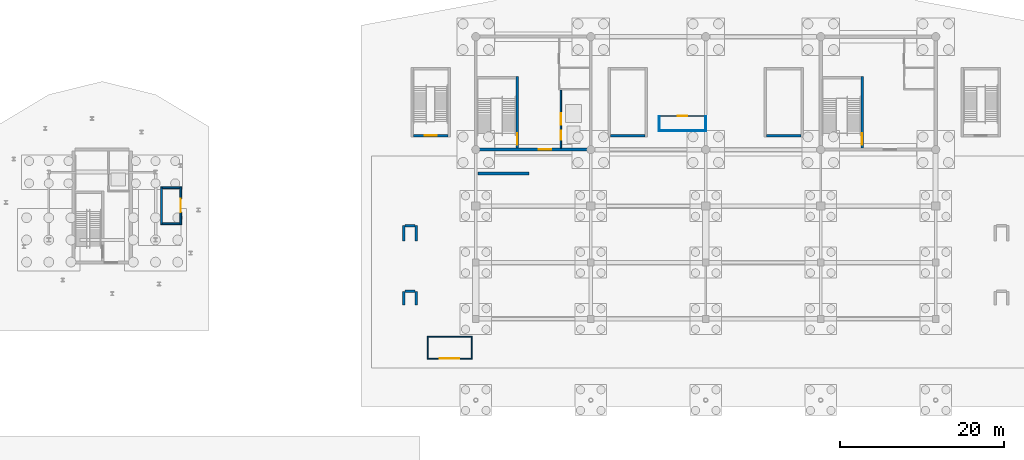
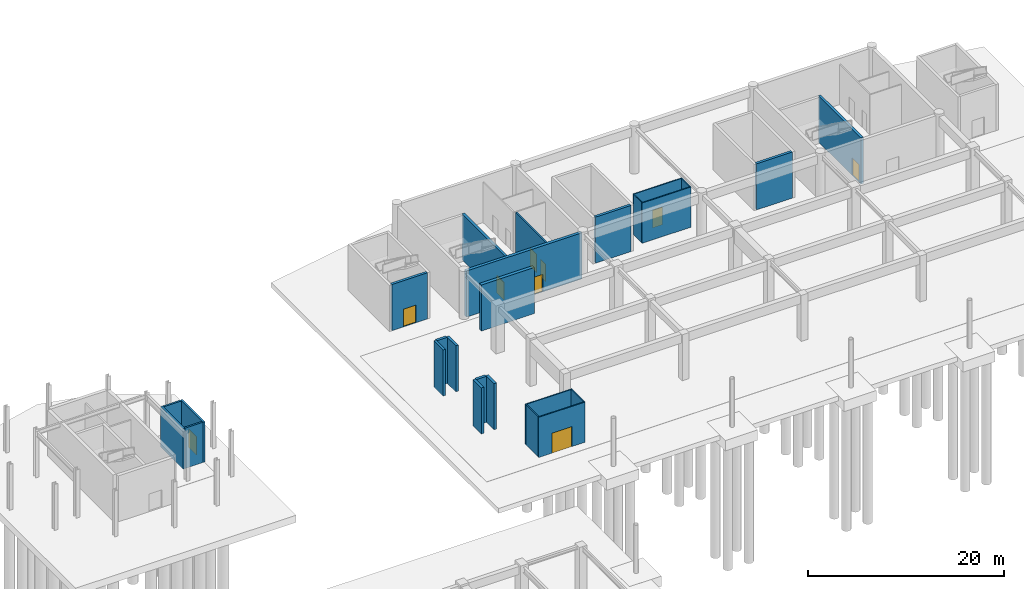
# One storey, part 48 of 62: 26 walls, 9 doors, 9 openings.
"""IFC4 building model written with IfcOpenShell, lengths in metres."""

from ifc_helpers import new_model, si_unit, direction, frame, frame_2d, origin, place, context, subcontext, project, spatial, rectangle, extrude, material, layer, layer_set, type_object, element, fill, save


model = new_model("IFC4")

# Units and contexts
model_context = context("Model", 3, precision=1e-05, world=origin(), true_north=direction((0.0, 1.0)))
body_context = subcontext(model_context, "Body", "Model", "MODEL_VIEW")
ifc_project = project(units=[si_unit("LENGTHUNIT", "METRE"), si_unit("AREAUNIT", "SQUARE_METRE"), si_unit("VOLUMEUNIT", "CUBIC_METRE"), si_unit("PLANEANGLEUNIT", "RADIAN"), si_unit("MASSUNIT", "GRAM", prefix="KILO")], contexts=[model_context])

# Site, building, storey
site_placement = place(None, origin())
site = spatial("IfcSite", under=ifc_project, at=site_placement, CompositionType="ELEMENT")
building_placement = place(site_placement, origin())
building = spatial("IfcBuilding", under=site, at=building_placement, Name="Linyun Crest Stadium", CompositionType="ELEMENT")
storey_placement = place(building_placement, frame((0.0, 0.0, -6.0)))
storey = spatial("IfcBuildingStorey", under=building, at=storey_placement, Name="B1", CompositionType="ELEMENT", Elevation=-6.0)

# Wall, opening, door
ifc_material_1 = material(Name="Concrete C50", Category="concrete")
ifc_layer_1 = layer(ifc_material_1, 0.35009765625)
ifc_layer_set_1 = layer_set([ifc_layer_1], Name="Concrete C50")
wall_type_1 = type_object("IfcWallType", Name="CW01", PredefinedType="SHEAR", material=ifc_layer_set_1)
wall_1_placement = place(storey_placement, frame((-27.824951171875, 91.5, 0.0), z_axis=(0.0, 0.0, 1.0), x_axis=(1.0, 0.0, 0.0)))
wall_1 = element("IfcWall", 1, at=wall_1_placement, inside=storey, type_object=wall_type_1, Name="Core shear wall CW01 CORE-N1 B1.3", PredefinedType="SHEAR", context=body_context, shape_type="SweptSolid", body=[
    extrude(rectangle(XDim=13.64990234375, YDim=0.35009765625, at=frame_2d((6.824951171875, 0.0))), origin(), (0.0, 0.0, 1.0), 5.75),
])
opening_1_placement = place(wall_1_placement, frame((7.507080078125, 0.0, 0.0)))
opening_1 = element("IfcOpeningElement", 2, at=opening_1_placement, cuts=wall_1, Name="Opening D-B1-256", PredefinedType="OPENING", context=body_context, shape_type="SweptSolid", body=[
    extrude(rectangle(XDim=1.5, YDim=2.199951171875, at=frame_2d((0.75, 1.10009765625))), frame((0.0, 0.18505859375, 0.0), z_axis=(0.0, -1.0, 0.0), x_axis=(1.0, 0.0, 0.0)), (0.0, 0.0, 1.0), 0.3701171875),
])
ifc_material_2 = material(Name="Galvanized steel Class A fire door", Category="steel")
ifc_layer_2 = layer(ifc_material_2, 0.054931640625)
ifc_layer_set_2 = layer_set([ifc_layer_2], Name="Galvanized steel Class A fire door")
door_type_1 = type_object("IfcDoorType", Name="FD01", OperationType="NOTDEFINED", PredefinedType="DOOR", material=ifc_layer_set_2)
door_1_placement = place(opening_1_placement, origin())
door_1 = element("IfcDoor", 3, at=door_1_placement, inside=storey, type_object=door_type_1, Name="Door D-B1-256", OperationType="SINGLE_SWING_RIGHT", OverallHeight=2.199951171875, OverallWidth=1.5, PredefinedType="DOOR", context=body_context, shape_type="SweptSolid", body=[
    extrude(rectangle(XDim=1.5, YDim=2.199951171875, at=frame_2d((0.75, 1.10009765625))), frame((0.0, 0.02490234375, 0.0), z_axis=(0.0, -1.0, 0.0), x_axis=(1.0, 0.0, 0.0)), (0.0, 0.0, 1.0), 0.050048828125),
])
fill(opening_1, door_1)

# Wall, openings, doors
ifc_material_3 = material(Name="Autoclaved aerated concrete block fire partition", Category="concrete")
ifc_layer_3 = layer(ifc_material_3, 0.179931640625)
ifc_layer_set_3 = layer_set([ifc_layer_3], Name="Autoclaved aerated concrete block fire partition")
wall_type_2 = type_object("IfcWallType", Name="PW12", PredefinedType="PARTITIONING", material=ifc_layer_set_3)
wall_2_placement = place(storey_placement, frame((-17.64990234375, 91.675048828125, 0.0), z_axis=(0.0, 0.0, 1.0), x_axis=(0.0, 1.0, 0.0)))
wall_2 = element("IfcWall", 4, at=wall_2_placement, inside=storey, type_object=wall_type_2, Name="Partition PW12 B1 93", PredefinedType="PARTITIONING", context=body_context, shape_type="SweptSolid", body=[
    extrude(rectangle(XDim=7.10498046875, YDim=0.179931640625, at=frame_2d((3.552490234375, 0.0))), origin(), (0.0, 0.0, 1.0), 5.02001953125),
])
opening_2_placement = place(wall_2_placement, frame((1.02490234375, 0.0, 0.0)))
opening_2 = element("IfcOpeningElement", 5, at=opening_2_placement, cuts=wall_2, Name="Opening LD085", PredefinedType="OPENING", context=body_context, shape_type="SweptSolid", body=[
    extrude(rectangle(XDim=1.10009765625, YDim=2.199951171875, at=frame_2d((0.550048828125, 1.10009765625))), frame((0.0, 0.099853515625, 0.0), z_axis=(0.0, -1.0, 0.0), x_axis=(1.0, 0.0, 0.0)), (0.0, 0.0, 1.0), 0.199951171875),
])
opening_3_placement = place(wall_2_placement, frame((2.875, 0.0, 0.0)))
opening_3 = element("IfcOpeningElement", 6, at=opening_3_placement, cuts=wall_2, Name="Opening LD086", PredefinedType="OPENING", context=body_context, shape_type="SweptSolid", body=[
    extrude(rectangle(XDim=1.39990234375, YDim=2.300048828125, at=frame_2d((0.699951171875, 1.14990234375))), frame((0.0, 0.099853515625, 0.0), z_axis=(0.0, -1.0, 0.0), x_axis=(1.0, 0.0, 0.0)), (0.0, 0.0, 1.0), 0.199951171875),
])
ifc_material_4 = material(Name="Brushed stainless sliding lift door")
ifc_layer_4 = layer(ifc_material_4, 0.050048828125)
ifc_layer_set_4 = layer_set([ifc_layer_4], Name="Brushed stainless sliding lift door")
door_type_2 = type_object("IfcDoorType", Name="LD01", OperationType="NOTDEFINED", PredefinedType="DOOR", material=ifc_layer_set_4)
door_2_placement = place(opening_2_placement, origin())
door_2 = element("IfcDoor", 7, at=door_2_placement, inside=storey, type_object=door_type_2, Name="Lift landing door LD085", OperationType="DOUBLE_DOOR_SLIDING", OverallHeight=2.199951171875, OverallWidth=1.10009765625, PredefinedType="DOOR", context=body_context, shape_type="SweptSolid", body=[
    extrude(rectangle(XDim=1.10009765625, YDim=2.199951171875, at=frame_2d((0.550048828125, 1.10009765625))), frame((0.0, 0.02490234375, 0.0), z_axis=(0.0, -1.0, 0.0), x_axis=(1.0, 0.0, 0.0)), (0.0, 0.0, 1.0), 0.050048828125),
])
fill(opening_2, door_2)
ifc_material_5 = material(Name="Heavy-duty stainless sliding door")
ifc_layer_5 = layer(ifc_material_5, 0.054931640625)
ifc_layer_set_5 = layer_set([ifc_layer_5], Name="Heavy-duty stainless sliding door")
door_type_3 = type_object("IfcDoorType", Name="LD03", OperationType="NOTDEFINED", PredefinedType="DOOR", material=ifc_layer_set_5)
door_3_placement = place(opening_3_placement, origin())
door_3 = element("IfcDoor", 8, at=door_3_placement, inside=storey, type_object=door_type_3, Name="Lift landing door LD086", OperationType="DOUBLE_DOOR_SLIDING", OverallHeight=2.300048828125, OverallWidth=1.39990234375, PredefinedType="DOOR", context=body_context, shape_type="SweptSolid", body=[
    extrude(rectangle(XDim=1.39990234375, YDim=2.300048828125, at=frame_2d((0.699951171875, 1.14990234375))), frame((0.0, 0.02490234375, 0.0), z_axis=(0.0, -1.0, 0.0), x_axis=(1.0, 0.0, 0.0)), (0.0, 0.0, 1.0), 0.050048828125),
])
fill(opening_3, door_3)

# Wall, opening, door
ifc_material_6 = material(Name="Acoustic broadcast studio double-leaf partition")
ifc_layer_6 = layer(ifc_material_6, 0.219970703125)
ifc_layer_set_6 = layer_set([ifc_layer_6], Name="Acoustic broadcast studio double-leaf partition")
wall_type_3 = type_object("IfcWallType", Name="PW16", PredefinedType="PARTITIONING", material=ifc_layer_set_6)
wall_3_placement = place(storey_placement, frame((-63.925048828125, 86.968017578125, 0.0), z_axis=(0.0, 0.0, 1.0), x_axis=(0.0, -1.0, 0.0)))
wall_3 = element("IfcWall", 9, at=wall_3_placement, inside=storey, type_object=wall_type_3, Name="Partition PW16 B1 265", PredefinedType="PARTITIONING", context=body_context, shape_type="SweptSolid", body=[
    extrude(rectangle(XDim=4.60009765625, YDim=0.219970703125, at=frame_2d((2.300048828125, 0.0))), origin(), (0.0, 0.0, 1.0), 5.02001953125),
])
opening_4_placement = place(wall_3_placement, frame((1.47509765625, 0.0, 0.0)))
opening_4 = element("IfcOpeningElement", 10, at=opening_4_placement, cuts=wall_3, Name="Opening D-B1-528", PredefinedType="OPENING", context=body_context, shape_type="SweptSolid", body=[
    extrude(rectangle(XDim=1.64990234375, YDim=2.300048828125, at=frame_2d((0.824951171875, 1.14990234375))), frame((0.0, 0.119873046875, 0.0), z_axis=(0.0, -1.0, 0.0), x_axis=(1.0, 0.0, 0.0)), (0.0, 0.0, 1.0), 0.239990234375),
])
ifc_material_7 = material(Name="Double-leaf acoustic timber door", Category="wood")
ifc_layer_7 = layer(ifc_material_7, 0.050048828125)
ifc_layer_set_7 = layer_set([ifc_layer_7], Name="Double-leaf acoustic timber door")
door_type_4 = type_object("IfcDoorType", Name="ID09", OperationType="NOTDEFINED", PredefinedType="DOOR", material=ifc_layer_set_7)
door_4_placement = place(opening_4_placement, origin())
door_4 = element("IfcDoor", 11, at=door_4_placement, inside=storey, type_object=door_type_4, Name="Door D-B1-528", OperationType="SINGLE_SWING_RIGHT", OverallHeight=2.300048828125, OverallWidth=1.64990234375, PredefinedType="DOOR", context=body_context, shape_type="SweptSolid", body=[
    extrude(rectangle(XDim=1.64990234375, YDim=2.300048828125, at=frame_2d((0.824951171875, 1.14990234375))), frame((0.0, 0.02490234375, 0.0), z_axis=(0.0, -1.0, 0.0), x_axis=(1.0, 0.0, 0.0)), (0.0, 0.0, 1.0), 0.050048828125),
])
fill(opening_4, door_4)

# Walls
wall_4_placement = place(storey_placement, frame((-66.27490234375, 82.367919921875, 0.0), z_axis=(0.0, 0.0, 1.0), x_axis=(0.0, 1.0, 0.0)))
element("IfcWall", 12, at=wall_4_placement, inside=storey, type_object=wall_type_3, Name="Enclosure partition PW16 B1 511", PredefinedType="PARTITIONING", context=body_context, shape_type="SweptSolid", body=[
    extrude(rectangle(XDim=4.60009765625, YDim=0.219970703125, at=frame_2d((2.300048828125, 0.0))), origin(), (0.0, 0.0, 1.0), 5.02001953125),
])
for number, where, z_axis, x_axis, name in (
    (13, (-66.1650390625, 82.47802734375, 0.0), (0.0, 0.0, 1.0), (1.0, 0.0, 0.0), "Enclosure partition PW16 B1 512"),
    (14, (-66.1650390625, 86.85791015625, 0.0), (0.0, 0.0, 1.0), (1.0, 0.0, 0.0), "Enclosure partition PW16 B1 513"),
):
    element("IfcWall", number, at=place(storey_placement, frame(where, z_axis=z_axis, x_axis=x_axis)), inside=storey, type_object=wall_type_3, Name=name, PredefinedType="PARTITIONING", context=body_context, shape_type="SweptSolid", body=[
        extrude(rectangle(XDim=2.130126953125, YDim=0.219970703125, at=frame_2d((1.06494140625, 0.0))), origin(), (0.0, 0.0, 1.0), 5.02001953125),
    ])

# Wall, opening, door
ifc_material_8 = material(Name="Steel-stud hospitality suite partition", Category="steel")
ifc_layer_8 = layer(ifc_material_8, 0.125)
ifc_layer_set_8 = layer_set([ifc_layer_8], Name="Steel-stud hospitality suite partition")
wall_type_4 = type_object("IfcWallType", Name="PW17", PredefinedType="PARTITIONING", material=ifc_layer_set_8)
wall_5_placement = place(storey_placement, frame((-28.449951171875, 66.052978515625, 0.0), z_axis=(0.0, 0.0, 1.0), x_axis=(-1.0, 0.0, 0.0)))
wall_5 = element("IfcWall", 15, at=wall_5_placement, inside=storey, type_object=wall_type_4, Name="Partition PW17 B1 151", PredefinedType="PARTITIONING", context=body_context, shape_type="SweptSolid", body=[
    extrude(rectangle(XDim=5.469970703125, YDim=0.125, at=frame_2d((2.73486328125, 0.0))), origin(), (0.0, 0.0, 1.0), 5.02001953125),
])
opening_5_placement = place(wall_5_placement, frame((1.56005859375, 0.0, 0.0)))
opening_5 = element("IfcOpeningElement", 16, at=opening_5_placement, cuts=wall_5, Name="Opening D-B1-414", PredefinedType="OPENING", context=body_context, shape_type="SweptSolid", body=[
    extrude(rectangle(XDim=2.35009765625, YDim=2.5, at=frame_2d((1.175048828125, 1.25))), frame((0.0, 0.072509765625, 0.0), z_axis=(0.0, -1.0, 0.0), x_axis=(1.0, 0.0, 0.0)), (0.0, 0.0, 1.0), 0.14501953125),
])
ifc_material_9 = material(Name="Wide impact-resistant double leaf")
ifc_layer_9 = layer(ifc_material_9, 0.054931640625)
ifc_layer_set_9 = layer_set([ifc_layer_9], Name="Wide impact-resistant double leaf")
door_type_5 = type_object("IfcDoorType", Name="ID14", OperationType="NOTDEFINED", PredefinedType="DOOR", material=ifc_layer_set_9)
door_5_placement = place(opening_5_placement, origin())
door_5 = element("IfcDoor", 17, at=door_5_placement, inside=storey, type_object=door_type_5, Name="Door D-B1-414", OperationType="DOUBLE_DOOR_SINGLE_SWING", OverallHeight=2.5, OverallWidth=2.35009765625, PredefinedType="DOOR", context=body_context, shape_type="SweptSolid", body=[
    extrude(rectangle(XDim=2.35009765625, YDim=2.5, at=frame_2d((1.175048828125, 1.25))), frame((0.0, 0.02490234375, 0.0), z_axis=(0.0, -1.0, 0.0), x_axis=(1.0, 0.0, 0.0)), (0.0, 0.0, 1.0), 0.050048828125),
])
fill(opening_5, door_5)

# Walls
wall_6_placement = place(storey_placement, frame((-33.919921875, 68.693115234375, 0.0), z_axis=(0.0, 0.0, 1.0), x_axis=(1.0, 0.0, 0.0)))
element("IfcWall", 18, at=wall_6_placement, inside=storey, type_object=wall_type_4, Name="Enclosure partition PW17 B1 169", PredefinedType="PARTITIONING", context=body_context, shape_type="SweptSolid", body=[
    extrude(rectangle(XDim=5.469970703125, YDim=0.125, at=frame_2d((2.73486328125, 0.0))), origin(), (0.0, 0.0, 1.0), 5.02001953125),
])
for number, where, z_axis, x_axis, name in (
    (19, (-33.85693359375, 66.115966796875, 0.0), (0.0, 0.0, 1.0), (0.0, 1.0, 0.0), "Enclosure partition PW17 B1 170"),
    (20, (-28.512939453125, 66.115966796875, 0.0), (0.0, 0.0, 1.0), (0.0, 1.0, 0.0), "Enclosure partition PW17 B1 171"),
):
    element("IfcWall", number, at=place(storey_placement, frame(where, z_axis=z_axis, x_axis=x_axis)), inside=storey, type_object=wall_type_4, Name=name, PredefinedType="PARTITIONING", context=body_context, shape_type="SweptSolid", body=[
        extrude(rectangle(XDim=2.513916015625, YDim=0.125, at=frame_2d((1.2568359375, 0.0))), origin(), (0.0, 0.0, 1.0), 5.02001953125),
    ])

# Wall, opening, door
ifc_material_10 = material(Name="Lightweight demountable office partition")
ifc_layer_10 = layer(ifc_material_10, 0.110107421875)
ifc_layer_set_10 = layer_set([ifc_layer_10], Name="Lightweight demountable office partition")
wall_type_5 = type_object("IfcWallType", Name="PW18", PredefinedType="PARTITIONING", material=ifc_layer_set_10)
wall_7_placement = place(storey_placement, frame((-5.7080078125, 95.593994140625, 0.0), z_axis=(0.0, 0.0, 1.0), x_axis=(1.0, 0.0, 0.0)))
wall_7 = element("IfcWall", 21, at=wall_7_placement, inside=storey, type_object=wall_type_5, Name="Partition PW18 B1 152", PredefinedType="PARTITIONING", context=body_context, shape_type="SweptSolid", body=[
    extrude(rectangle(XDim=5.760009765625, YDim=0.110107421875, at=frame_2d((2.8798828125, 0.0))), origin(), (0.0, 0.0, 1.0), 5.02001953125),
])
opening_6_placement = place(wall_7_placement, frame((2.304931640625, 0.0, 0.0)))
opening_6 = element("IfcOpeningElement", 22, at=opening_6_placement, cuts=wall_7, Name="Opening D-B1-415", PredefinedType="OPENING", context=body_context, shape_type="SweptSolid", body=[
    extrude(rectangle(XDim=1.14990234375, YDim=2.199951171875, at=frame_2d((0.574951171875, 1.10009765625))), frame((0.0, 0.06494140625, 0.0), z_axis=(0.0, -1.0, 0.0), x_axis=(1.0, 0.0, 0.0)), (0.0, 0.0, 1.0), 0.130126953125),
])
ifc_material_11 = material(Name="Solid timber acoustic door", Category="wood")
ifc_layer_11 = layer(ifc_material_11, 0.050048828125)
ifc_layer_set_11 = layer_set([ifc_layer_11], Name="Solid timber acoustic door")
door_type_6 = type_object("IfcDoorType", Name="ID15", OperationType="NOTDEFINED", PredefinedType="DOOR", material=ifc_layer_set_11)
door_6_placement = place(opening_6_placement, origin())
door_6 = element("IfcDoor", 23, at=door_6_placement, inside=storey, type_object=door_type_6, Name="Door D-B1-415", OperationType="SINGLE_SWING_LEFT", OverallHeight=2.199951171875, OverallWidth=1.14990234375, PredefinedType="DOOR", context=body_context, shape_type="SweptSolid", body=[
    extrude(rectangle(XDim=1.14990234375, YDim=2.199951171875, at=frame_2d((0.574951171875, 1.10009765625))), frame((0.0, 0.02490234375, 0.0), z_axis=(0.0, -1.0, 0.0), x_axis=(1.0, 0.0, 0.0)), (0.0, 0.0, 1.0), 0.050048828125),
])
fill(opening_6, door_6)

# Walls
wall_8_placement = place(storey_placement, frame((-5.7080078125, 93.7939453125, 0.0), z_axis=(0.0, 0.0, 1.0), x_axis=(1.0, 0.0, 0.0)))
element("IfcWall", 24, at=wall_8_placement, inside=storey, type_object=wall_type_5, Name="Enclosure partition PW18 B1 172", PredefinedType="PARTITIONING", context=body_context, shape_type="SweptSolid", body=[
    extrude(rectangle(XDim=5.760009765625, YDim=0.110107421875, at=frame_2d((2.8798828125, 0.0))), origin(), (0.0, 0.0, 1.0), 5.02001953125),
])
for number, where, z_axis, x_axis, name in (
    (25, (-5.653076171875, 93.84912109375, 0.0), (0.0, 0.0, 1.0), (0.0, 1.0, 0.0), "Enclosure partition PW18 B1 173"),
    (26, (-0.0029296875, 93.84912109375, 0.0), (0.0, 0.0, 1.0), (0.0, 1.0, 0.0), "Enclosure partition PW18 B1 174"),
):
    element("IfcWall", number, at=place(storey_placement, frame(where, z_axis=z_axis, x_axis=x_axis)), inside=storey, type_object=wall_type_5, Name=name, PredefinedType="PARTITIONING", context=body_context, shape_type="SweptSolid", body=[
        extrude(rectangle(XDim=1.68994140625, YDim=0.110107421875, at=frame_2d((0.844970703125, 0.0))), origin(), (0.0, 0.0, 1.0), 5.02001953125),
    ])

# Wall, opening, door
ifc_material_12 = material(Name="Concrete C50", Category="concrete")
ifc_layer_12 = layer(ifc_material_12, 0.300048828125)
ifc_layer_set_12 = layer_set([ifc_layer_12], Name="Concrete C50")
wall_type_6 = type_object("IfcWallType", Name="SW01", PredefinedType="SHEAR", material=ifc_layer_set_12)
wall_9_placement = place(storey_placement, frame((-22.949951171875, 91.675048828125, 0.0), z_axis=(0.0, 0.0, 1.0), x_axis=(0.0, 1.0, 0.0)))
wall_9 = element("IfcWall", 27, at=wall_9_placement, inside=storey, type_object=wall_type_6, Name="Core stair east bearing wall SW01 7 B1", PredefinedType="SHEAR", context=body_context, shape_type="SweptSolid", body=[
    extrude(rectangle(XDim=8.724853515625, YDim=0.300048828125, at=frame_2d((4.3623046875, 0.0))), origin(), (0.0, 0.0, 1.0), 5.75),
])
opening_7_placement = place(wall_9_placement, frame((0.39501953125, 0.0, 0.0)))
opening_7 = element("IfcOpeningElement", 28, at=opening_7_placement, cuts=wall_9, Name="Opening D-B1-257", PredefinedType="OPENING", context=body_context, shape_type="SweptSolid", body=[
    extrude(rectangle(XDim=1.449951171875, YDim=2.199951171875, at=frame_2d((0.72509765625, 1.10009765625))), frame((0.0, 0.159912109375, 0.0), z_axis=(0.0, -1.0, 0.0), x_axis=(1.0, 0.0, 0.0)), (0.0, 0.0, 1.0), 0.320068359375),
])
ifc_material_13 = material(Name="Galvanized steel Class A fire door", Category="steel")
ifc_layer_13 = layer(ifc_material_13, 0.054931640625)
ifc_layer_set_13 = layer_set([ifc_layer_13], Name="Galvanized steel Class A fire door")
door_type_7 = type_object("IfcDoorType", Name="FD02", OperationType="NOTDEFINED", PredefinedType="DOOR", material=ifc_layer_set_13)
door_7_placement = place(opening_7_placement, origin())
door_7 = element("IfcDoor", 29, at=door_7_placement, inside=storey, type_object=door_type_7, Name="Door D-B1-257", OperationType="SINGLE_SWING_LEFT", OverallHeight=2.199951171875, OverallWidth=1.449951171875, PredefinedType="DOOR", context=body_context, shape_type="SweptSolid", body=[
    extrude(rectangle(XDim=1.449951171875, YDim=2.199951171875, at=frame_2d((0.72509765625, 1.10009765625))), frame((0.0, 0.02490234375, 0.0), z_axis=(0.0, -1.0, 0.0), x_axis=(1.0, 0.0, 0.0)), (0.0, 0.0, 1.0), 0.050048828125),
])
fill(opening_7, door_7)

wall_10_placement = place(storey_placement, frame((19.050048828125, 91.699951171875, 0.0), z_axis=(0.0, 0.0, 1.0), x_axis=(0.0, 1.0, 0.0)))
wall_10 = element("IfcWall", 30, at=wall_10_placement, inside=storey, type_object=wall_type_6, Name="Core stair east bearing wall SW01 8 B1", PredefinedType="SHEAR", context=body_context, shape_type="SweptSolid", body=[
    extrude(rectangle(XDim=8.699951171875, YDim=0.300048828125, at=frame_2d((4.35009765625, 0.0))), origin(), (0.0, 0.0, 1.0), 5.75),
])
opening_8_placement = place(wall_10_placement, frame((0.3701171875, 0.0, 0.0)))
opening_8 = element("IfcOpeningElement", 31, at=opening_8_placement, cuts=wall_10, Name="Opening D-B1-293", PredefinedType="OPENING", context=body_context, shape_type="SweptSolid", body=[
    extrude(rectangle(XDim=1.449951171875, YDim=2.199951171875, at=frame_2d((0.72509765625, 1.10009765625))), frame((0.0, 0.159912109375, 0.0), z_axis=(0.0, -1.0, 0.0), x_axis=(1.0, 0.0, 0.0)), (0.0, 0.0, 1.0), 0.320068359375),
])
door_8_placement = place(opening_8_placement, origin())
door_8 = element("IfcDoor", 32, at=door_8_placement, inside=storey, type_object=door_type_7, Name="Door D-B1-293", OperationType="SINGLE_SWING_LEFT", OverallHeight=2.199951171875, OverallWidth=1.449951171875, PredefinedType="DOOR", context=body_context, shape_type="SweptSolid", body=[
    extrude(rectangle(XDim=1.449951171875, YDim=2.199951171875, at=frame_2d((0.72509765625, 1.10009765625))), frame((0.0, 0.02490234375, 0.0), z_axis=(0.0, -1.0, 0.0), x_axis=(1.0, 0.0, 0.0)), (0.0, 0.0, 1.0), 0.050048828125),
])
fill(opening_8, door_8)

wall_11_placement = place(storey_placement, frame((-35.60009765625, 93.199951171875, 0.0), z_axis=(0.0, 0.0, 1.0), x_axis=(1.0, 0.0, 0.0)))
wall_11 = element("IfcWall", 33, at=wall_11_placement, inside=storey, type_object=wall_type_6, Name="Stair shaft wall SW01 STR-23 B1 S", PredefinedType="SHEAR", context=body_context, shape_type="SweptSolid", body=[
    extrude(rectangle(XDim=4.2001953125, YDim=0.300048828125, at=frame_2d((2.10009765625, 0.0))), origin(), (0.0, 0.0, 1.0), 5.75),
])
opening_9_placement = place(wall_11_placement, frame((1.375, 0.0, 0.0)))
opening_9 = element("IfcOpeningElement", 34, at=opening_9_placement, cuts=wall_11, Name="Opening D-B1-594", PredefinedType="OPENING", context=body_context, shape_type="SweptSolid", body=[
    extrude(rectangle(XDim=1.449951171875, YDim=2.199951171875, at=frame_2d((0.72509765625, 1.10009765625))), frame((0.0, 0.159912109375, 0.0), z_axis=(0.0, -1.0, 0.0), x_axis=(1.0, 0.0, 0.0)), (0.0, 0.0, 1.0), 0.320068359375),
])
door_9_placement = place(opening_9_placement, origin())
door_9 = element("IfcDoor", 35, at=door_9_placement, inside=storey, type_object=door_type_7, Name="Door D-B1-594", OperationType="SINGLE_SWING_RIGHT", OverallHeight=2.199951171875, OverallWidth=1.449951171875, PredefinedType="DOOR", context=body_context, shape_type="SweptSolid", body=[
    extrude(rectangle(XDim=1.449951171875, YDim=2.199951171875, at=frame_2d((0.72509765625, 1.10009765625))), frame((0.0, 0.02490234375, 0.0), z_axis=(0.0, -1.0, 0.0), x_axis=(1.0, 0.0, 0.0)), (0.0, 0.0, 1.0), 0.050048828125),
])
fill(opening_9, door_9)

# Walls
for number, where, z_axis, x_axis, name in (
    (36, (-11.60009765625, 93.199951171875, 0.0), (0.0, 0.0, 1.0), (1.0, 0.0, 0.0), "Stair shaft wall SW01 STR-24 B1 S"),
    (37, (7.39990234375, 93.199951171875, 0.0), (0.0, 0.0, 1.0), (1.0, 0.0, 0.0), "Stair shaft wall SW01 STR-25 B1 S"),
):
    element("IfcWall", number, at=place(storey_placement, frame(where, z_axis=z_axis, x_axis=x_axis)), inside=storey, type_object=wall_type_6, Name=name, PredefinedType="SHEAR", context=body_context, shape_type="SweptSolid", body=[
        extrude(rectangle(XDim=4.2001953125, YDim=0.300048828125, at=frame_2d((2.10009765625, 0.0))), origin(), (0.0, 0.0, 1.0), 5.75),
    ])
for number, where, z_axis, x_axis, name in (
    (38, (-36.75, 72.550048828125, 0.0), (0.0, 0.0, 1.0), (0.0, 1.0, 0.0), "Ramp sub-plinth wall SW01 RMP-07.1W"),
    (39, (-35.25, 72.550048828125, 0.0), (0.0, 0.0, 1.0), (0.0, 1.0, 0.0), "Ramp sub-plinth wall SW01 RMP-07.1E"),
):
    element("IfcWall", number, at=place(storey_placement, frame(where, z_axis=z_axis, x_axis=x_axis)), inside=storey, type_object=wall_type_6, Name=name, PredefinedType="SHEAR", context=body_context, shape_type="SweptSolid", body=[
        extrude(rectangle(XDim=1.699951171875, YDim=0.300048828125, at=frame_2d((0.85009765625, 0.0))), origin(), (0.0, 0.0, 1.0), 5.75),
    ])
wall_12_placement = place(storey_placement, frame((-36.60009765625, 74.25, 0.0), z_axis=(0.0, 0.0, 1.0), x_axis=(1.0, 0.0, 0.0)))
element("IfcWall", 40, at=wall_12_placement, inside=storey, type_object=wall_type_6, Name="Ramp sub-plinth wall SW01 RMP-07.1N", PredefinedType="SHEAR", context=body_context, shape_type="SweptSolid", body=[
    extrude(rectangle(XDim=1.2001953125, YDim=0.300048828125, at=frame_2d((0.60009765625, 0.0))), origin(), (0.0, 0.0, 1.0), 5.75),
])
for number, where, z_axis, x_axis, name in (
    (41, (-36.75, 80.35009765625, 0.0), (0.0, 0.0, 1.0), (0.0, 1.0, 0.0), "Ramp sub-plinth wall SW01 RMP-07.2W"),
    (42, (-35.25, 80.35009765625, 0.0), (0.0, 0.0, 1.0), (0.0, 1.0, 0.0), "Ramp sub-plinth wall SW01 RMP-07.2E"),
):
    element("IfcWall", number, at=place(storey_placement, frame(where, z_axis=z_axis, x_axis=x_axis)), inside=storey, type_object=wall_type_6, Name=name, PredefinedType="SHEAR", context=body_context, shape_type="SweptSolid", body=[
        extrude(rectangle(XDim=1.89990234375, YDim=0.300048828125, at=frame_2d((0.949951171875, 0.0))), origin(), (0.0, 0.0, 1.0), 5.75),
    ])
wall_13_placement = place(storey_placement, frame((-36.60009765625, 82.25, 0.0), z_axis=(0.0, 0.0, 1.0), x_axis=(1.0, 0.0, 0.0)))
element("IfcWall", 43, at=wall_13_placement, inside=storey, type_object=wall_type_6, Name="Ramp sub-plinth wall SW01 RMP-07.2N", PredefinedType="SHEAR", context=body_context, shape_type="SweptSolid", body=[
    extrude(rectangle(XDim=1.2001953125, YDim=0.300048828125, at=frame_2d((0.60009765625, 0.0))), origin(), (0.0, 0.0, 1.0), 5.75),
])
ifc_material_14 = material(Name="Concrete C50", Category="concrete")
ifc_layer_14 = layer(ifc_material_14, 0.3798828125)
ifc_layer_set_14 = layer_set([ifc_layer_14], Name="Concrete C50")
wall_type_7 = type_object("IfcWallType", Name="SW02", PredefinedType="SHEAR", material=ifc_layer_set_14)
wall_14_placement = place(storey_placement, frame((-27.719970703125, 88.60009765625, 0.0), z_axis=(0.0, 0.0, 1.0), x_axis=(1.0, 0.0, 0.0)))
element("IfcWall", 44, at=wall_14_placement, inside=storey, type_object=wall_type_7, Name="Shear wall SW02 B1 317", PredefinedType="SHEAR", context=body_context, shape_type="SweptSolid", body=[
    extrude(rectangle(XDim=6.219970703125, YDim=0.3798828125, at=frame_2d((3.10986328125, 0.0))), origin(), (0.0, 0.0, 1.0), 5.75),
])

save(model, "model.ifc")
